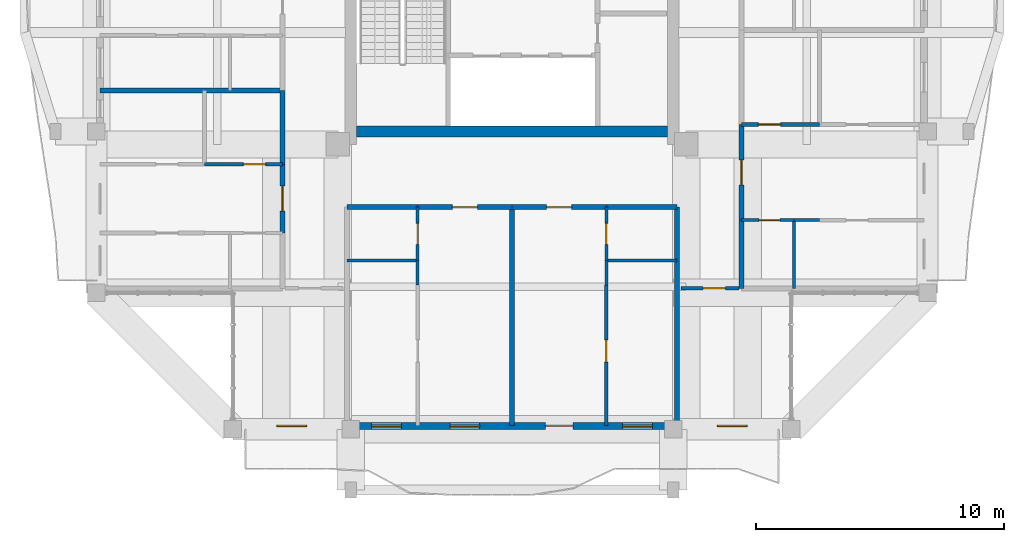
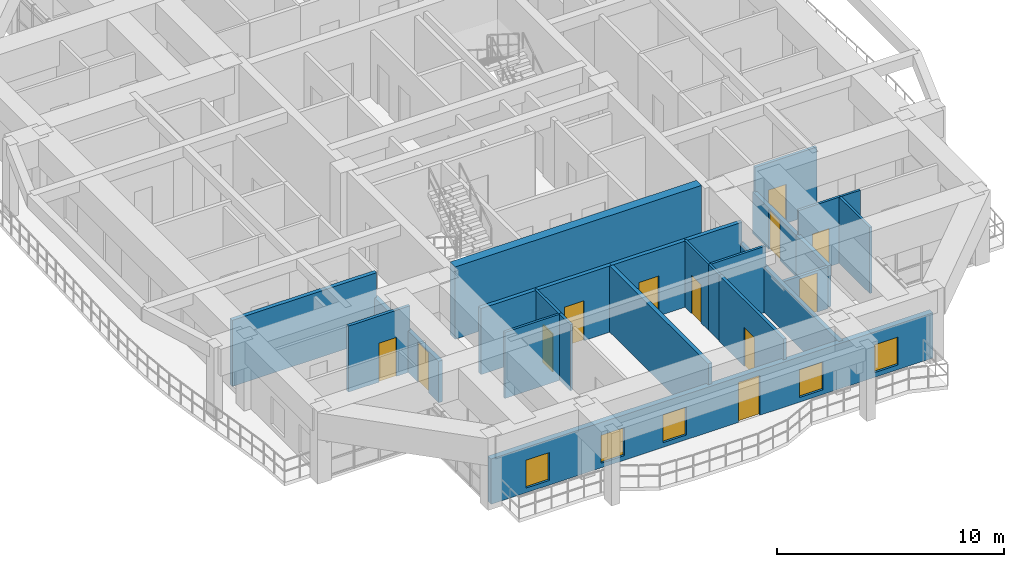
# One storey, part 16 of 27: 26 walls, 12 doors, 5 windows, 17 openings.
"""IFC4 building model written with IfcOpenShell, lengths in metres."""

from ifc_helpers import new_model, si_unit, direction, frame, frame_2d, origin, place, context, subcontext, project, spatial, rectangle, extrude, source, transform, mapped, material, layer, layer_set, type_object, element, fill, save


model = new_model("IFC4")

# Units and contexts
model_context = context("Model", 3, precision=1e-05, world=origin(), true_north=direction((0.0, 1.0)))
body_context = subcontext(model_context, "Body", "Model", "MODEL_VIEW")
ifc_project = project(units=[si_unit("LENGTHUNIT", "METRE"), si_unit("AREAUNIT", "SQUARE_METRE"), si_unit("VOLUMEUNIT", "CUBIC_METRE"), si_unit("PLANEANGLEUNIT", "RADIAN"), si_unit("MASSUNIT", "GRAM", prefix="KILO")], contexts=[model_context])

# Site, building, storey
site_placement = place(None, origin())
site = spatial("IfcSite", under=ifc_project, at=site_placement, CompositionType="ELEMENT")
building_placement = place(site_placement, origin())
building = spatial("IfcBuilding", under=site, at=building_placement, Name="Saelheon Loggia Tower", CompositionType="ELEMENT")
storey_placement = place(building_placement, frame((0.0, 0.0, 236.10009765625)))
storey = spatial("IfcBuildingStorey", under=building, at=storey_placement, Name="L73", CompositionType="ELEMENT", Elevation=236.10009765625)

# Wall
ifc_material_1 = material(Name="Concrete C45/55", Category="concrete")
ifc_layer_1 = layer(ifc_material_1, 0.449951171875)
ifc_layer_set_1 = layer_set([ifc_layer_1], Name="Concrete C45/55")
wall_type_1 = type_object("IfcWallType", Name="Wall_CoreShear_450", PredefinedType="SHEAR", material=ifc_layer_set_1)
wall_1_placement = place(storey_placement, frame((31.72509765625, 18.0, 0.0), z_axis=(0.0, 0.0, 1.0), x_axis=(1.0, 0.0, 0.0)))
element("IfcWall", 1, at=wall_1_placement, inside=storey, type_object=wall_type_1, Name="L73 Core Shear Wall South", PredefinedType="SHEAR", context=body_context, shape_type="SweptSolid", body=[
    extrude(rectangle(XDim=12.5498046875, YDim=0.449951171875, at=frame_2d((6.27490234375, 0.0))), origin(), (0.0, 0.0, 1.0), 3.89990234375),
])

# Wall, openings, windows, door
ifc_material_2 = material(Name="Architectural Precast Concrete C40/50", Category="concrete")
ifc_layer_2 = layer(ifc_material_2, 0.280029296875)
ifc_layer_set_2 = layer_set([ifc_layer_2], Name="Architectural Precast Concrete C40/50")
wall_type_2 = type_object("IfcWallType", Name="Wall_Ext_Loggia_280", PredefinedType="SOLIDWALL", material=ifc_layer_set_2)
wall_2_placement = place(storey_placement, frame((26.75, 6.139892578125, 0.0), z_axis=(0.0, 0.0, 1.0), x_axis=(1.0, 0.0, 0.0)))
wall_2 = element("IfcWall", 2, at=wall_2_placement, inside=storey, type_object=wall_type_2, Name="L73 South Loggia Inner Wall", PredefinedType="SOLIDWALL", context=body_context, shape_type="SweptSolid", body=[
    extrude(rectangle(XDim=22.5, YDim=0.280029296875, at=frame_2d((11.25, 0.0))), origin(), (0.0, 0.0, 1.0), 2.43994140625),
])
opening_1_placement = place(wall_2_placement, frame((1.77490234375, 0.0, 0.25)))
opening_1 = element("IfcOpeningElement", 3, at=opening_1_placement, cuts=wall_2, Name="Opening WN-03", PredefinedType="OPENING", context=body_context, shape_type="SweptSolid", body=[
    extrude(rectangle(XDim=1.199951171875, YDim=1.5, at=frame_2d((0.60009765625, 0.75))), frame((0.0, 0.152099609375, 0.0), z_axis=(0.0, -1.0, 0.0), x_axis=(1.0, 0.0, 0.0)), (0.0, 0.0, 1.0), 0.303955078125),
])
opening_2_placement = place(wall_2_placement, frame((5.594970703125, 0.0, 0.25)))
opening_2 = element("IfcOpeningElement", 4, at=opening_2_placement, cuts=wall_2, Name="Opening WN-03", PredefinedType="OPENING", context=body_context, shape_type="SweptSolid", body=[
    extrude(rectangle(XDim=1.199951171875, YDim=1.5, at=frame_2d((0.60009765625, 0.75))), frame((0.0, 0.152099609375, 0.0), z_axis=(0.0, -1.0, 0.0), x_axis=(1.0, 0.0, 0.0)), (0.0, 0.0, 1.0), 0.303955078125),
])
opening_3_placement = place(wall_2_placement, frame((8.75, 0.0, 0.25)))
opening_3 = element("IfcOpeningElement", 5, at=opening_3_placement, cuts=wall_2, Name="Opening WN-03", PredefinedType="OPENING", context=body_context, shape_type="SweptSolid", body=[
    extrude(rectangle(XDim=1.199951171875, YDim=1.5, at=frame_2d((0.60009765625, 0.75))), frame((0.0, 0.152099609375, 0.0), z_axis=(0.0, -1.0, 0.0), x_axis=(1.0, 0.0, 0.0)), (0.0, 0.0, 1.0), 0.303955078125),
])
opening_4_placement = place(wall_2_placement, frame((13.7001953125, 0.0, 0.0), z_axis=(0.0, 0.0, 1.0), x_axis=(-1.0, 0.0, 0.0)))
opening_4 = element("IfcOpeningElement", 6, at=opening_4_placement, cuts=wall_2, Name="Opening TD1", PredefinedType="OPENING", context=body_context, shape_type="SweptSolid", body=[
    extrude(rectangle(XDim=1.10009765625, YDim=2.14990234375, at=frame_2d((0.550048828125, 1.074951171875))), frame((0.0, 0.152099609375, 0.0), z_axis=(0.0, -1.0, 0.0), x_axis=(1.0, 0.0, 0.0)), (0.0, 0.0, 1.0), 0.303955078125),
])
opening_5_placement = place(wall_2_placement, frame((15.705078125, 0.0, 0.25)))
opening_5 = element("IfcOpeningElement", 7, at=opening_5_placement, cuts=wall_2, Name="Opening WN-03", PredefinedType="OPENING", context=body_context, shape_type="SweptSolid", body=[
    extrude(rectangle(XDim=1.199951171875, YDim=1.5, at=frame_2d((0.60009765625, 0.75))), frame((0.0, 0.152099609375, 0.0), z_axis=(0.0, -1.0, 0.0), x_axis=(1.0, 0.0, 0.0)), (0.0, 0.0, 1.0), 0.303955078125),
])
opening_6_placement = place(wall_2_placement, frame((19.52490234375, 0.0, 0.25)))
opening_6 = element("IfcOpeningElement", 8, at=opening_6_placement, cuts=wall_2, Name="Opening WN-03", PredefinedType="OPENING", context=body_context, shape_type="SweptSolid", body=[
    extrude(rectangle(XDim=1.199951171875, YDim=1.5, at=frame_2d((0.60009765625, 0.75))), frame((0.0, 0.152099609375, 0.0), z_axis=(0.0, -1.0, 0.0), x_axis=(1.0, 0.0, 0.0)), (0.0, 0.0, 1.0), 0.303955078125),
])
ifc_material_3 = material(Name="Thermal-Break Aluminium and Triple Low-E Glass", Category="aluminium")
window_type = type_object("IfcWindowType", Name="Win_Bedroom_1200x1500", PartitioningType="SINGLE_PANEL", PredefinedType="WINDOW", material=ifc_material_3)
shared_shape_1 = source(origin(), body_context, "Body", "SweptSolid", [
    extrude(rectangle(XDim=1.199951171875, YDim=1.5, at=frame_2d((0.60009765625, 0.75))), frame((0.0, 0.030029296875, 0.0), z_axis=(0.0, -1.0, 0.0), x_axis=(1.0, 0.0, 0.0)), (0.0, 0.0, 1.0), 0.06005859375),
])
window_1_placement = place(opening_1_placement, origin())
window_1 = element("IfcWindow", 9, at=window_1_placement, inside=storey, type_object=window_type, Name="L73 S Dwelling Window 1", OverallHeight=1.5, OverallWidth=1.199951171875, PartitioningType="SINGLE_PANEL", PredefinedType="WINDOW", context=body_context, shape_type="MappedRepresentation", body=[
    mapped(shared_shape_1, transform((0.0, 0.0, 0.0), scale=1.0)),
])
fill(opening_1, window_1)
window_2_placement = place(opening_2_placement, origin())
window_2 = element("IfcWindow", 10, at=window_2_placement, inside=storey, type_object=window_type, Name="L73 S Dwelling Window 2", OverallHeight=1.5, OverallWidth=1.199951171875, PartitioningType="SINGLE_PANEL", PredefinedType="WINDOW", context=body_context, shape_type="MappedRepresentation", body=[
    mapped(shared_shape_1, transform((0.0, 0.0, 0.0), scale=1.0)),
])
fill(opening_2, window_2)
window_3_placement = place(opening_3_placement, origin())
window_3 = element("IfcWindow", 11, at=window_3_placement, inside=storey, type_object=window_type, Name="L73 S Dwelling Window 3", OverallHeight=1.5, OverallWidth=1.199951171875, PartitioningType="SINGLE_PANEL", PredefinedType="WINDOW", context=body_context, shape_type="MappedRepresentation", body=[
    mapped(shared_shape_1, transform((0.0, 0.0, 0.0), scale=1.0)),
])
fill(opening_3, window_3)
window_4_placement = place(opening_5_placement, origin())
window_4 = element("IfcWindow", 12, at=window_4_placement, inside=storey, type_object=window_type, Name="L73 S Dwelling Window 5", OverallHeight=1.5, OverallWidth=1.199951171875, PartitioningType="SINGLE_PANEL", PredefinedType="WINDOW", context=body_context, shape_type="MappedRepresentation", body=[
    mapped(shared_shape_1, transform((0.0, 0.0, 0.0), scale=1.0)),
])
fill(opening_5, window_4)
window_5_placement = place(opening_6_placement, origin())
window_5 = element("IfcWindow", 13, at=window_5_placement, inside=storey, type_object=window_type, Name="L73 S Dwelling Window 6", OverallHeight=1.5, OverallWidth=1.199951171875, PartitioningType="SINGLE_PANEL", PredefinedType="WINDOW", context=body_context, shape_type="MappedRepresentation", body=[
    mapped(shared_shape_1, transform((0.0, 0.0, 0.0), scale=1.0)),
])
fill(opening_6, window_5)
ifc_material_4 = material(Name="Thermal-Break Aluminium Glazed Door", Category="aluminium")
door_type_1 = type_object("IfcDoorType", Name="Door_Terrace_TD1", OperationType="NOTDEFINED", PredefinedType="DOOR", material=ifc_material_4)
shared_shape_2 = source(origin(), body_context, "Body", "SweptSolid", [
    extrude(rectangle(XDim=1.10009765625, YDim=2.14990234375, at=frame_2d((0.550048828125, 1.074951171875))), frame((0.0, 0.02490234375, 0.0), z_axis=(0.0, -1.0, 0.0), x_axis=(1.0, 0.0, 0.0)), (0.0, 0.0, 1.0), 0.050048828125),
])
door_1_placement = place(opening_4_placement, origin())
door_1 = element("IfcDoor", 14, at=door_1_placement, inside=storey, type_object=door_type_1, Name="L73 S Loggia Access Door", OperationType="SINGLE_SWING_RIGHT", OverallHeight=2.14990234375, OverallWidth=1.10009765625, PredefinedType="DOOR", context=body_context, shape_type="MappedRepresentation", body=[
    mapped(shared_shape_2, transform((0.0, 0.0, 0.0), scale=1.0)),
])
fill(opening_4, door_1)

# Wall, opening, door
ifc_material_5 = material(Name="Lightweight Autoclaved Aerated Concrete Block and Acoustic Gypsum", Category="concrete")
ifc_layer_3 = layer(ifc_material_5, 0.14990234375)
ifc_layer_set_3 = layer_set([ifc_layer_3], Name="Lightweight Autoclaved Aerated Concrete Block and Acoustic Gypsum")
wall_type_3 = type_object("IfcWallType", Name="Wall_Part_150", PredefinedType="PARTITIONING", material=ifc_layer_set_3)
wall_3_placement = place(storey_placement, frame((44.820068359375, 11.679931640625, 0.0), z_axis=(0.0, 0.0, 1.0), x_axis=(1.0, 0.0, 0.0)))
wall_3 = element("IfcWall", 15, at=wall_3_placement, inside=storey, type_object=wall_type_3, Name="PW-L73-CSE-H", PredefinedType="PARTITIONING", context=body_context, shape_type="SweptSolid", body=[
    extrude(rectangle(XDim=2.329833984375, YDim=0.14990234375, at=frame_2d((1.1650390625, 0.0))), origin(), (0.0, 0.0, 1.0), 2.239990234375),
])
opening_7_placement = place(wall_3_placement, frame((0.8798828125, 0.0, 0.0)))
opening_7 = element("IfcOpeningElement", 16, at=opening_7_placement, cuts=wall_3, Name="Opening D-IN2", PredefinedType="OPENING", context=body_context, shape_type="SweptSolid", body=[
    extrude(rectangle(XDim=0.89990234375, YDim=2.10009765625, at=frame_2d((0.449951171875, 1.050048828125))), frame((0.0, 0.0869140625, 0.0), z_axis=(0.0, -1.0, 0.0), x_axis=(1.0, 0.0, 0.0)), (0.0, 0.0, 1.0), 0.173828125),
])
ifc_material_6 = material(Name="Engineered Oak Flush Door", Category="timber")
door_type_2 = type_object("IfcDoorType", Name="Door_Int_900", OperationType="NOTDEFINED", PredefinedType="DOOR", material=ifc_material_6)
shared_shape_3 = source(origin(), body_context, "Body", "SweptSolid", [
    extrude(rectangle(XDim=0.89990234375, YDim=2.10009765625, at=frame_2d((0.449951171875, 1.050048828125))), frame((0.0, 0.02490234375, 0.0), z_axis=(0.0, -1.0, 0.0), x_axis=(1.0, 0.0, 0.0)), (0.0, 0.0, 1.0), 0.050048828125),
])
door_2_placement = place(opening_7_placement, origin())
door_2 = element("IfcDoor", 17, at=door_2_placement, inside=storey, type_object=door_type_2, Name="L73 Corner Reading Room SE Door", OperationType="SINGLE_SWING_LEFT", OverallHeight=2.10009765625, OverallWidth=0.89990234375, PredefinedType="DOOR", context=body_context, shape_type="MappedRepresentation", body=[
    mapped(shared_shape_3, transform((0.0, 0.0, 0.0), scale=1.0)),
])
fill(opening_7, door_2)

wall_4_placement = place(storey_placement, frame((41.800048828125, 11.81005859375, 0.0), z_axis=(0.0, 0.0, 1.0), x_axis=(0.0, -1.0, 0.0)))
wall_4 = element("IfcWall", 18, at=wall_4_placement, inside=storey, type_object=wall_type_3, Name="L73 S Partition U15", PredefinedType="PARTITIONING", context=body_context, shape_type="SweptSolid", body=[
    extrude(rectangle(XDim=5.66015625, YDim=0.14990234375, at=frame_2d((2.830078125, 0.0))), origin(), (0.0, 0.0, 1.0), 3.559814453125),
])
opening_8_placement = place(wall_4_placement, frame((2.20166015625, 0.0, 0.0)))
opening_8 = element("IfcOpeningElement", 19, at=opening_8_placement, cuts=wall_4, Name="Opening D-IN2", PredefinedType="OPENING", context=body_context, shape_type="SweptSolid", body=[
    extrude(rectangle(XDim=0.89990234375, YDim=2.10009765625, at=frame_2d((0.449951171875, 1.050048828125))), frame((0.0, 0.0869140625, 0.0), z_axis=(0.0, -1.0, 0.0), x_axis=(1.0, 0.0, 0.0)), (0.0, 0.0, 1.0), 0.173828125),
])
door_3_placement = place(opening_8_placement, origin())
door_3 = element("IfcDoor", 20, at=door_3_placement, inside=storey, type_object=door_type_2, Name="Unit U02 Kitchen Door", OperationType="SINGLE_SWING_RIGHT", OverallHeight=2.10009765625, OverallWidth=0.89990234375, PredefinedType="DOOR", context=body_context, shape_type="MappedRepresentation", body=[
    mapped(shared_shape_3, transform((0.0, 0.0, 0.0), scale=1.0)),
])
fill(opening_8, door_3)

wall_5_placement = place(storey_placement, frame((28.75, 16.679931640625, 0.0), z_axis=(0.0, 0.0, 1.0), x_axis=(-1.0, 0.0, 0.0)))
wall_5 = element("IfcWall", 21, at=wall_5_placement, inside=storey, type_object=wall_type_3, Name="L73 W Partition U11", PredefinedType="PARTITIONING", context=body_context, shape_type="SweptSolid", body=[
    extrude(rectangle(XDim=3.139892578125, YDim=0.14990234375, at=frame_2d((1.56982421875, 0.0))), origin(), (0.0, 0.0, 1.0), 3.559814453125),
])
opening_9_placement = place(wall_5_placement, frame((0.679931640625, 0.0, 0.0)))
opening_9 = element("IfcOpeningElement", 22, at=opening_9_placement, cuts=wall_5, Name="Opening D-IN2", PredefinedType="OPENING", context=body_context, shape_type="SweptSolid", body=[
    extrude(rectangle(XDim=0.89990234375, YDim=2.10009765625, at=frame_2d((0.449951171875, 1.050048828125))), frame((0.0, 0.0869140625, 0.0), z_axis=(0.0, -1.0, 0.0), x_axis=(1.0, 0.0, 0.0)), (0.0, 0.0, 1.0), 0.173828125),
])
door_4_placement = place(opening_9_placement, origin())
door_4 = element("IfcDoor", 23, at=door_4_placement, inside=storey, type_object=door_type_2, Name="Unit U05 Dressing Closet Door", OperationType="SINGLE_SWING_LEFT", OverallHeight=2.10009765625, OverallWidth=0.89990234375, PredefinedType="DOOR", context=body_context, shape_type="MappedRepresentation", body=[
    mapped(shared_shape_3, transform((0.0, 0.0, 0.0), scale=1.0)),
])
fill(opening_9, door_4)

wall_6_placement = place(storey_placement, frame((47.25, 18.280029296875, 0.0), z_axis=(0.0, 0.0, 1.0), x_axis=(1.0, 0.0, 0.0)))
wall_6 = element("IfcWall", 24, at=wall_6_placement, inside=storey, type_object=wall_type_3, Name="L73 E Partition U11", PredefinedType="PARTITIONING", context=body_context, shape_type="SweptSolid", body=[
    extrude(rectangle(XDim=3.139892578125, YDim=0.14990234375, at=frame_2d((1.56982421875, 0.0))), origin(), (0.0, 0.0, 1.0), 3.559814453125),
])
opening_10_placement = place(wall_6_placement, frame((0.679931640625, 0.0, 0.0)))
opening_10 = element("IfcOpeningElement", 25, at=opening_10_placement, cuts=wall_6, Name="Opening D-IN2", PredefinedType="OPENING", context=body_context, shape_type="SweptSolid", body=[
    extrude(rectangle(XDim=0.89990234375, YDim=2.10009765625, at=frame_2d((0.449951171875, 1.050048828125))), frame((0.0, 0.0869140625, 0.0), z_axis=(0.0, -1.0, 0.0), x_axis=(1.0, 0.0, 0.0)), (0.0, 0.0, 1.0), 0.173828125),
])
door_5_placement = place(opening_10_placement, origin())
door_5 = element("IfcDoor", 26, at=door_5_placement, inside=storey, type_object=door_type_2, Name="Unit U09 Private Study Door", OperationType="SINGLE_SWING_LEFT", OverallHeight=2.10009765625, OverallWidth=0.89990234375, PredefinedType="DOOR", context=body_context, shape_type="MappedRepresentation", body=[
    mapped(shared_shape_3, transform((0.0, 0.0, 0.0), scale=1.0)),
])
fill(opening_10, door_5)

# Walls
ifc_material_7 = material(Name="Double Acoustic Stud and Fireboard Partition", Category="gypsum")
ifc_layer_4 = layer(ifc_material_7, 0.199951171875)
ifc_layer_set_4 = layer_set([ifc_layer_4], Name="Double Acoustic Stud and Fireboard Partition")
wall_type_4 = type_object("IfcWallType", Name="Wall_Party_200", PredefinedType="PARTITIONING", material=ifc_layer_set_4)
wall_7_placement = place(storey_placement, frame((44.64990234375, 14.949951171875, 0.0), z_axis=(0.0, 0.0, 1.0), x_axis=(0.0, -1.0, 0.0)))
element("IfcWall", 27, at=wall_7_placement, inside=storey, type_object=wall_type_4, Name="L73 S Partition U02", PredefinedType="PARTITIONING", context=body_context, shape_type="SweptSolid", body=[
    extrude(rectangle(XDim=8.800048828125, YDim=0.199951171875, at=frame_2d((4.39990234375, 0.0))), origin(), (0.0, 0.0, 1.0), 2.43994140625),
])
wall_8_placement = place(storey_placement, frame((31.35009765625, 14.949951171875, 0.0), z_axis=(0.0, 0.0, 1.0), x_axis=(1.0, 0.0, 0.0)))
element("IfcWall", 28, at=wall_8_placement, inside=storey, type_object=wall_type_4, Name="L73 S Partition V03", PredefinedType="PARTITIONING", context=body_context, shape_type="SweptSolid", body=[
    extrude(rectangle(XDim=2.849853515625, YDim=0.199951171875, at=frame_2d((1.4248046875, 0.0))), origin(), (0.0, 0.0, 1.0), 3.559814453125),
])

# Wall, opening, door
wall_9_placement = place(storey_placement, frame((34.199951171875, 14.949951171875, 0.0), z_axis=(0.0, 0.0, 1.0), x_axis=(1.0, 0.0, 0.0)))
wall_9 = element("IfcWall", 29, at=wall_9_placement, inside=storey, type_object=wall_type_4, Name="L73 S Partition V04", PredefinedType="PARTITIONING", context=body_context, shape_type="SweptSolid", body=[
    extrude(rectangle(XDim=3.800048828125, YDim=0.199951171875, at=frame_2d((1.89990234375, 0.0))), origin(), (0.0, 0.0, 1.0), 3.559814453125),
])
opening_11_placement = place(wall_9_placement, frame((1.39990234375, 0.0, 0.0)))
opening_11 = element("IfcOpeningElement", 30, at=opening_11_placement, cuts=wall_9, Name="Opening D-FD1", PredefinedType="OPENING", context=body_context, shape_type="SweptSolid", body=[
    extrude(rectangle(XDim=1.0, YDim=2.14990234375, at=frame_2d((0.5, 1.074951171875))), frame((0.0, 0.112060546875, 0.0), z_axis=(0.0, -1.0, 0.0), x_axis=(1.0, 0.0, 0.0)), (0.0, 0.0, 1.0), 0.223876953125),
])
ifc_material_8 = material(Name="Fire-Rated Engineered Timber Entrance Door", Category="wood")
door_type_3 = type_object("IfcDoorType", Name="Door_Flat_FD30S", OperationType="NOTDEFINED", PredefinedType="DOOR", material=ifc_material_8)
shared_shape_4 = source(origin(), body_context, "Body", "SweptSolid", [
    extrude(rectangle(XDim=1.0, YDim=2.14990234375, at=frame_2d((0.5, 1.074951171875))), frame((0.0, 0.02490234375, 0.0), z_axis=(0.0, -1.0, 0.0), x_axis=(1.0, 0.0, 0.0)), (0.0, 0.0, 1.0), 0.050048828125),
])
door_6_placement = place(opening_11_placement, origin())
door_6 = element("IfcDoor", 31, at=door_6_placement, inside=storey, type_object=door_type_3, Name="Unit U01 Entrance Door", OperationType="SINGLE_SWING_LEFT", OverallHeight=2.14990234375, OverallWidth=1.0, PredefinedType="DOOR", context=body_context, shape_type="MappedRepresentation", body=[
    mapped(shared_shape_4, transform((0.0, 0.0, 0.0), scale=1.0)),
])
fill(opening_11, door_6)

# Wall
wall_10_placement = place(storey_placement, frame((38.0, 14.949951171875, 0.0), z_axis=(0.0, 0.0, 1.0), x_axis=(0.0, -1.0, 0.0)))
element("IfcWall", 32, at=wall_10_placement, inside=storey, type_object=wall_type_4, Name="L73 S Partition U09", PredefinedType="PARTITIONING", context=body_context, shape_type="SweptSolid", body=[
    extrude(rectangle(XDim=8.800048828125, YDim=0.199951171875, at=frame_2d((4.39990234375, 0.0))), origin(), (0.0, 0.0, 1.0), 3.559814453125),
])

# Wall, opening, door
wall_11_placement = place(storey_placement, frame((38.0, 14.949951171875, 0.0), z_axis=(0.0, 0.0, 1.0), x_axis=(1.0, 0.0, 0.0)))
wall_11 = element("IfcWall", 33, at=wall_11_placement, inside=storey, type_object=wall_type_4, Name="L73 S Partition V10", PredefinedType="PARTITIONING", context=body_context, shape_type="SweptSolid", body=[
    extrude(rectangle(XDim=3.800048828125, YDim=0.199951171875, at=frame_2d((1.89990234375, 0.0))), origin(), (0.0, 0.0, 1.0), 3.559814453125),
])
opening_12_placement = place(wall_11_placement, frame((1.39990234375, 0.0, 0.0)))
opening_12 = element("IfcOpeningElement", 34, at=opening_12_placement, cuts=wall_11, Name="Opening D-FD1", PredefinedType="OPENING", context=body_context, shape_type="SweptSolid", body=[
    extrude(rectangle(XDim=1.0, YDim=2.14990234375, at=frame_2d((0.5, 1.074951171875))), frame((0.0, 0.112060546875, 0.0), z_axis=(0.0, -1.0, 0.0), x_axis=(1.0, 0.0, 0.0)), (0.0, 0.0, 1.0), 0.223876953125),
])
door_7_placement = place(opening_12_placement, origin())
door_7 = element("IfcDoor", 35, at=door_7_placement, inside=storey, type_object=door_type_3, Name="Unit U02 Entrance Door", OperationType="SINGLE_SWING_RIGHT", OverallHeight=2.14990234375, OverallWidth=1.0, PredefinedType="DOOR", context=body_context, shape_type="MappedRepresentation", body=[
    mapped(shared_shape_4, transform((0.0, 0.0, 0.0), scale=1.0)),
])
fill(opening_12, door_7)

# Wall
wall_12_placement = place(storey_placement, frame((41.800048828125, 14.949951171875, 0.0), z_axis=(0.0, 0.0, 1.0), x_axis=(1.0, 0.0, 0.0)))
element("IfcWall", 36, at=wall_12_placement, inside=storey, type_object=wall_type_4, Name="L73 S Partition V11", PredefinedType="PARTITIONING", context=body_context, shape_type="SweptSolid", body=[
    extrude(rectangle(XDim=2.849853515625, YDim=0.199951171875, at=frame_2d((1.4248046875, 0.0))), origin(), (0.0, 0.0, 1.0), 3.559814453125),
])

# Wall, opening, door
wall_13_placement = place(storey_placement, frame((28.75, 13.91064453125, 0.0), z_axis=(0.0, 0.0, 1.0), x_axis=(0.0, 1.0, 0.0)))
wall_13 = element("IfcWall", 37, at=wall_13_placement, inside=storey, type_object=wall_type_4, Name="L73 W Partition V04", PredefinedType="PARTITIONING", context=body_context, shape_type="SweptSolid", body=[
    extrude(rectangle(XDim=2.769287109375, YDim=0.199951171875, at=frame_2d((1.384765625, 0.0))), origin(), (0.0, 0.0, 1.0), 2.239990234375),
])
opening_13_placement = place(wall_13_placement, frame((0.884765625, 0.0, 0.0)))
opening_13 = element("IfcOpeningElement", 38, at=opening_13_placement, cuts=wall_13, Name="Opening D-FD1", PredefinedType="OPENING", context=body_context, shape_type="SweptSolid", body=[
    extrude(rectangle(XDim=1.0, YDim=2.14990234375, at=frame_2d((0.5, 1.074951171875))), frame((0.0, 0.112060546875, 0.0), z_axis=(0.0, -1.0, 0.0), x_axis=(1.0, 0.0, 0.0)), (0.0, 0.0, 1.0), 0.223876953125),
])
door_8_placement = place(opening_13_placement, origin())
door_8 = element("IfcDoor", 39, at=door_8_placement, inside=storey, type_object=door_type_3, Name="Unit U05 Entrance Door", OperationType="SINGLE_SWING_RIGHT", OverallHeight=2.14990234375, OverallWidth=1.0, PredefinedType="DOOR", context=body_context, shape_type="MappedRepresentation", body=[
    mapped(shared_shape_4, transform((0.0, 0.0, 0.0), scale=1.0)),
])
fill(opening_13, door_8)

# Walls
wall_14_placement = place(storey_placement, frame((28.75, 16.679931640625, 0.0), z_axis=(0.0, 0.0, 1.0), x_axis=(0.0, 1.0, 0.0)))
element("IfcWall", 40, at=wall_14_placement, inside=storey, type_object=wall_type_4, Name="L73 W Partition V05", PredefinedType="PARTITIONING", context=body_context, shape_type="SweptSolid", body=[
    extrude(rectangle(XDim=2.966552734375, YDim=0.199951171875, at=frame_2d((1.4833984375, 0.0))), origin(), (0.0, 0.0, 1.0), 2.239990234375),
])
wall_15_placement = place(storey_placement, frame((28.75, 19.646484375, 0.0), z_axis=(0.0, 0.0, 1.0), x_axis=(-1.0, 0.0, 0.0)))
element("IfcWall", 41, at=wall_15_placement, inside=storey, type_object=wall_type_4, Name="L73 W Partition U13", PredefinedType="PARTITIONING", context=body_context, shape_type="SweptSolid", body=[
    extrude(rectangle(XDim=7.35009765625, YDim=0.199951171875, at=frame_2d((3.675048828125, 0.0))), origin(), (0.0, 0.0, 1.0), 3.559814453125),
])
wall_16_placement = place(storey_placement, frame((47.25, 11.679931640625, 0.0), z_axis=(0.0, 0.0, 1.0), x_axis=(0.0, 1.0, 0.0)))
element("IfcWall", 42, at=wall_16_placement, inside=storey, type_object=wall_type_4, Name="L73 E Partition V03", PredefinedType="PARTITIONING", context=body_context, shape_type="SweptSolid", body=[
    extrude(rectangle(XDim=2.75, YDim=0.199951171875, at=frame_2d((1.375, 0.0))), origin(), (0.0, 0.0, 1.0), 2.239990234375),
])

# Wall, opening, door
wall_17_placement = place(storey_placement, frame((47.25, 14.429931640625, 0.0), z_axis=(0.0, 0.0, 1.0), x_axis=(0.0, 1.0, 0.0)))
wall_17 = element("IfcWall", 43, at=wall_17_placement, inside=storey, type_object=wall_type_4, Name="L73 E Partition V04", PredefinedType="PARTITIONING", context=body_context, shape_type="SweptSolid", body=[
    extrude(rectangle(XDim=3.85009765625, YDim=0.199951171875, at=frame_2d((1.925048828125, 0.0))), origin(), (0.0, 0.0, 1.0), 2.239990234375),
])
opening_14_placement = place(wall_17_placement, frame((1.425048828125, 0.0, 0.0)))
opening_14 = element("IfcOpeningElement", 44, at=opening_14_placement, cuts=wall_17, Name="Opening D-FD1", PredefinedType="OPENING", context=body_context, shape_type="SweptSolid", body=[
    extrude(rectangle(XDim=1.0, YDim=2.14990234375, at=frame_2d((0.5, 1.074951171875))), frame((0.0, 0.112060546875, 0.0), z_axis=(0.0, -1.0, 0.0), x_axis=(1.0, 0.0, 0.0)), (0.0, 0.0, 1.0), 0.223876953125),
])
door_9_placement = place(opening_14_placement, origin())
door_9 = element("IfcDoor", 45, at=door_9_placement, inside=storey, type_object=door_type_3, Name="Unit U09 Entrance Door", OperationType="SINGLE_SWING_RIGHT", OverallHeight=2.14990234375, OverallWidth=1.0, PredefinedType="DOOR", context=body_context, shape_type="MappedRepresentation", body=[
    mapped(shared_shape_4, transform((0.0, 0.0, 0.0), scale=1.0)),
])
fill(opening_14, door_9)

ifc_material_9 = material(Name="Moisture-Resistant Cement Board Partition", Category="gypsum")
ifc_layer_5 = layer(ifc_material_9, 0.1201171875)
ifc_layer_set_5 = layer_set([ifc_layer_5], Name="Moisture-Resistant Cement Board Partition")
wall_type_5 = type_object("IfcWallType", Name="Wall_WetPart_120", PredefinedType="PARTITIONING", material=ifc_layer_set_5)
wall_18_placement = place(storey_placement, frame((34.199951171875, 14.949951171875, 0.0), z_axis=(0.0, 0.0, 1.0), x_axis=(0.0, -1.0, 0.0)))
wall_18 = element("IfcWall", 46, at=wall_18_placement, inside=storey, type_object=wall_type_5, Name="L73 S Partition U05", PredefinedType="PARTITIONING", context=body_context, shape_type="SweptSolid", body=[
    extrude(rectangle(XDim=2.14990234375, YDim=0.1201171875, at=frame_2d((1.074951171875, 0.0))), origin(), (0.0, 0.0, 1.0), 3.559814453125),
])
opening_15_placement = place(wall_18_placement, frame((0.64990234375, 0.0, 0.0)))
opening_15 = element("IfcOpeningElement", 47, at=opening_15_placement, cuts=wall_18, Name="Opening D-BT1", PredefinedType="OPENING", context=body_context, shape_type="SweptSolid", body=[
    extrude(rectangle(XDim=0.85009765625, YDim=2.050048828125, at=frame_2d((0.425048828125, 1.02490234375))), frame((0.0, 0.072021484375, 0.0), z_axis=(0.0, -1.0, 0.0), x_axis=(1.0, 0.0, 0.0)), (0.0, 0.0, 1.0), 0.14404296875),
])
ifc_material_10 = material(Name="Moisture-Resistant Laminate Timber Door", Category="wood")
door_type_4 = type_object("IfcDoorType", Name="Door_Bath_850", OperationType="NOTDEFINED", PredefinedType="DOOR", material=ifc_material_10)
shared_shape_5 = source(origin(), body_context, "Body", "SweptSolid", [
    extrude(rectangle(XDim=0.85009765625, YDim=2.050048828125, at=frame_2d((0.425048828125, 1.02490234375))), frame((0.0, 0.02490234375, 0.0), z_axis=(0.0, -1.0, 0.0), x_axis=(1.0, 0.0, 0.0)), (0.0, 0.0, 1.0), 0.050048828125),
])
door_10_placement = place(opening_15_placement, origin())
door_10 = element("IfcDoor", 48, at=door_10_placement, inside=storey, type_object=door_type_4, Name="Unit U01 Bathroom Door", OperationType="SINGLE_SWING_RIGHT", OverallHeight=2.050048828125, OverallWidth=0.85009765625, PredefinedType="DOOR", context=body_context, shape_type="MappedRepresentation", body=[
    mapped(shared_shape_5, transform((0.0, 0.0, 0.0), scale=1.0)),
])
fill(opening_15, door_10)

# Walls
wall_19_placement = place(storey_placement, frame((34.199951171875, 12.800048828125, 0.0), z_axis=(0.0, 0.0, 1.0), x_axis=(0.0, -1.0, 0.0)))
element("IfcWall", 49, at=wall_19_placement, inside=storey, type_object=wall_type_5, Name="L73 S Partition U06", PredefinedType="PARTITIONING", context=body_context, shape_type="SweptSolid", body=[
    extrude(rectangle(XDim=0.989990234375, YDim=0.1201171875, at=frame_2d((0.4951171875, 0.0))), origin(), (0.0, 0.0, 1.0), 3.559814453125),
])
wall_20_placement = place(storey_placement, frame((31.35009765625, 12.800048828125, 0.0), z_axis=(0.0, 0.0, 1.0), x_axis=(1.0, 0.0, 0.0)))
element("IfcWall", 50, at=wall_20_placement, inside=storey, type_object=wall_type_5, Name="L73 S Partition V07", PredefinedType="PARTITIONING", context=body_context, shape_type="SweptSolid", body=[
    extrude(rectangle(XDim=2.849853515625, YDim=0.1201171875, at=frame_2d((1.4248046875, 0.0))), origin(), (0.0, 0.0, 1.0), 3.559814453125),
])

# Wall, opening, door
wall_21_placement = place(storey_placement, frame((41.800048828125, 14.949951171875, 0.0), z_axis=(0.0, 0.0, 1.0), x_axis=(0.0, -1.0, 0.0)))
wall_21 = element("IfcWall", 51, at=wall_21_placement, inside=storey, type_object=wall_type_5, Name="L73 S Partition U12", PredefinedType="PARTITIONING", context=body_context, shape_type="SweptSolid", body=[
    extrude(rectangle(XDim=2.14990234375, YDim=0.1201171875, at=frame_2d((1.074951171875, 0.0))), origin(), (0.0, 0.0, 1.0), 3.559814453125),
])
opening_16_placement = place(wall_21_placement, frame((0.64990234375, 0.0, 0.0)))
opening_16 = element("IfcOpeningElement", 52, at=opening_16_placement, cuts=wall_21, Name="Opening D-BT1", PredefinedType="OPENING", context=body_context, shape_type="SweptSolid", body=[
    extrude(rectangle(XDim=0.85009765625, YDim=2.050048828125, at=frame_2d((0.425048828125, 1.02490234375))), frame((0.0, 0.072021484375, 0.0), z_axis=(0.0, -1.0, 0.0), x_axis=(1.0, 0.0, 0.0)), (0.0, 0.0, 1.0), 0.14404296875),
])
door_11_placement = place(opening_16_placement, origin())
door_11 = element("IfcDoor", 53, at=door_11_placement, inside=storey, type_object=door_type_4, Name="Unit U02 Bathroom Door", OperationType="SINGLE_SWING_LEFT", OverallHeight=2.050048828125, OverallWidth=0.85009765625, PredefinedType="DOOR", context=body_context, shape_type="MappedRepresentation", body=[
    mapped(shared_shape_5, transform((0.0, 0.0, 0.0), scale=1.0)),
])
fill(opening_16, door_11)

# Walls
wall_22_placement = place(storey_placement, frame((41.800048828125, 12.800048828125, 0.0), z_axis=(0.0, 0.0, 1.0), x_axis=(0.0, -1.0, 0.0)))
element("IfcWall", 54, at=wall_22_placement, inside=storey, type_object=wall_type_5, Name="L73 S Partition U13", PredefinedType="PARTITIONING", context=body_context, shape_type="SweptSolid", body=[
    extrude(rectangle(XDim=0.989990234375, YDim=0.1201171875, at=frame_2d((0.4951171875, 0.0))), origin(), (0.0, 0.0, 1.0), 3.559814453125),
])
wall_23_placement = place(storey_placement, frame((41.800048828125, 12.800048828125, 0.0), z_axis=(0.0, 0.0, 1.0), x_axis=(1.0, 0.0, 0.0)))
element("IfcWall", 55, at=wall_23_placement, inside=storey, type_object=wall_type_5, Name="L73 S Partition V14", PredefinedType="PARTITIONING", context=body_context, shape_type="SweptSolid", body=[
    extrude(rectangle(XDim=2.849853515625, YDim=0.1201171875, at=frame_2d((1.4248046875, 0.0))), origin(), (0.0, 0.0, 1.0), 3.559814453125),
])
wall_24_placement = place(storey_placement, frame((49.3701171875, 11.679931640625, 0.0), z_axis=(0.0, 0.0, 1.0), x_axis=(0.0, 1.0, 0.0)))
element("IfcWall", 56, at=wall_24_placement, inside=storey, type_object=wall_type_5, Name="L73 E Partition V06", PredefinedType="PARTITIONING", context=body_context, shape_type="SweptSolid", body=[
    extrude(rectangle(XDim=2.75, YDim=0.1201171875, at=frame_2d((1.375, 0.0))), origin(), (0.0, 0.0, 1.0), 3.559814453125),
])

# Wall, opening, door
wall_25_placement = place(storey_placement, frame((47.25, 14.429931640625, 0.0), z_axis=(0.0, 0.0, 1.0), x_axis=(1.0, 0.0, 0.0)))
wall_25 = element("IfcWall", 57, at=wall_25_placement, inside=storey, type_object=wall_type_5, Name="L73 E Partition U08", PredefinedType="PARTITIONING", context=body_context, shape_type="SweptSolid", body=[
    extrude(rectangle(XDim=2.1201171875, YDim=0.1201171875, at=frame_2d((1.06005859375, 0.0))), origin(), (0.0, 0.0, 1.0), 3.559814453125),
])
opening_17_placement = place(wall_25_placement, frame((0.70068359375, 0.0, 0.0)))
opening_17 = element("IfcOpeningElement", 58, at=opening_17_placement, cuts=wall_25, Name="Opening D-BT1", PredefinedType="OPENING", context=body_context, shape_type="SweptSolid", body=[
    extrude(rectangle(XDim=0.85009765625, YDim=2.050048828125, at=frame_2d((0.425048828125, 1.02490234375))), frame((0.0, 0.072021484375, 0.0), z_axis=(0.0, -1.0, 0.0), x_axis=(1.0, 0.0, 0.0)), (0.0, 0.0, 1.0), 0.14404296875),
])
door_12_placement = place(opening_17_placement, origin())
door_12 = element("IfcDoor", 59, at=door_12_placement, inside=storey, type_object=door_type_4, Name="Unit U09 Bathroom Door", OperationType="SINGLE_SWING_LEFT", OverallHeight=2.050048828125, OverallWidth=0.85009765625, PredefinedType="DOOR", context=body_context, shape_type="MappedRepresentation", body=[
    mapped(shared_shape_5, transform((0.0, 0.0, 0.0), scale=1.0)),
])
fill(opening_17, door_12)

# Wall
wall_26_placement = place(storey_placement, frame((49.3701171875, 14.429931640625, 0.0), z_axis=(0.0, 0.0, 1.0), x_axis=(1.0, 0.0, 0.0)))
element("IfcWall", 60, at=wall_26_placement, inside=storey, type_object=wall_type_5, Name="L73 E Partition U09", PredefinedType="PARTITIONING", context=body_context, shape_type="SweptSolid", body=[
    extrude(rectangle(XDim=1.019775390625, YDim=0.1201171875, at=frame_2d((0.509765625, 0.0))), origin(), (0.0, 0.0, 1.0), 3.559814453125),
])

save(model, "model.ifc")
